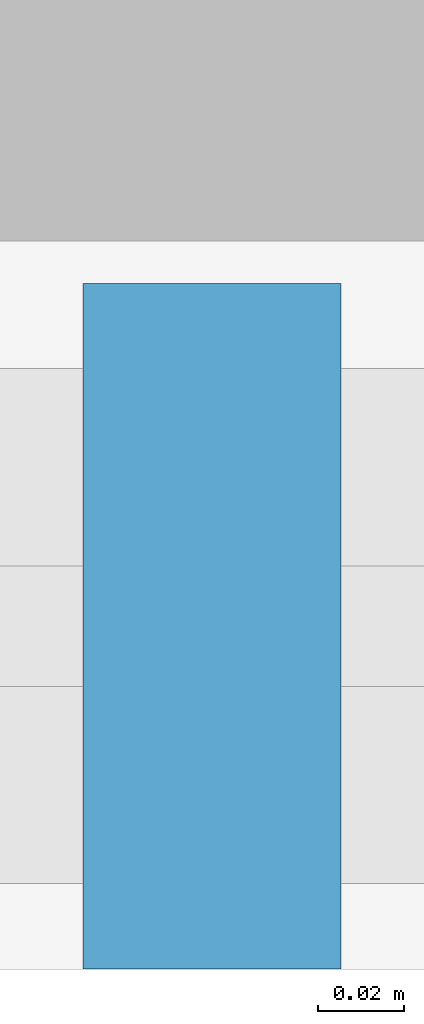
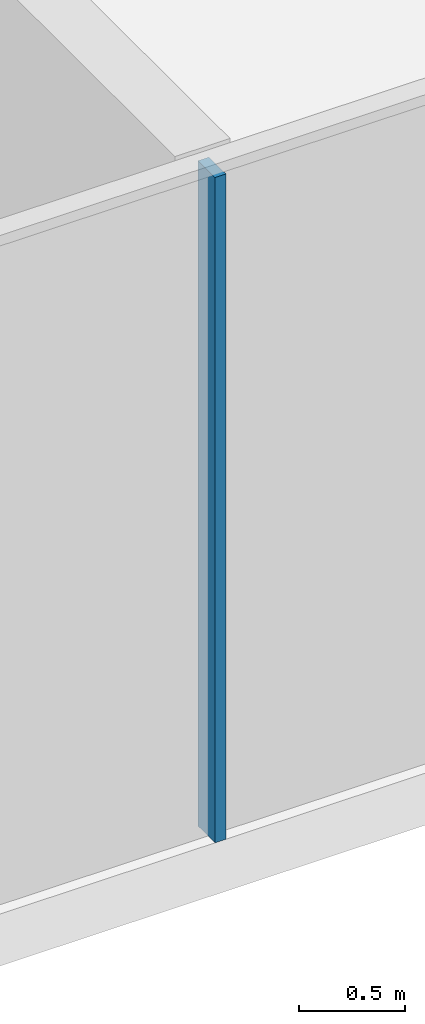
# One storey, part 3 of 9: 1 member, 1 element without a shape of its own.
"""IFC4 building model written with IfcOpenShell, lengths in metres."""

from ifc_helpers import new_model, si_unit, direction, frame, origin, origin_2d, place, context, subcontext, project, spatial, rectangle, extrude, material, material_profile, profile_set, type_object, element, aggregate, save


model = new_model("IFC4")

# Units and contexts
model_context = context("Model", 3, precision=1e-05, world=origin(), true_north=direction((0.0, 1.0)))
body_context = subcontext(model_context, "Body", "Model", "MODEL_VIEW")
ifc_project = project(units=[si_unit("LENGTHUNIT", "METRE"), si_unit("AREAUNIT", "SQUARE_METRE"), si_unit("VOLUMEUNIT", "CUBIC_METRE"), si_unit("PLANEANGLEUNIT", "RADIAN"), si_unit("MASSUNIT", "GRAM", prefix="KILO")], contexts=[model_context])

# Site, building, storey
site_placement = place(None, origin())
site = spatial("IfcSite", under=ifc_project, at=site_placement, CompositionType="ELEMENT")
building_placement = place(site_placement, origin())
building = spatial("IfcBuilding", under=site, at=building_placement, Name="Ogive Portal Towers", CompositionType="ELEMENT")
storey_placement = place(building_placement, frame((0.0, 0.0, 281.300048828125)))
storey = spatial("IfcBuildingStorey", under=building, at=storey_placement, Name="L68", CompositionType="ELEMENT", Elevation=281.300048828125)

# Curtain wall, member
ifc_material_1 = material(Name="Glass, clear low-iron insulated glazing", Category="glass")
curtain_wall_type = type_object("IfcCurtainWallType", Name="CW CROWN GLAZING", PredefinedType="NOTDEFINED", material=ifc_material_1)
curtain_wall_placement = place(storey_placement, origin())
curtain_wall = element("IfcCurtainWall", 1, at=curtain_wall_placement, inside=storey, type_object=curtain_wall_type, Name="A:L68:c06:cw", PredefinedType="NOTDEFINED")
ifc_material_2 = material(Name="Aluminium 6063 anodised", Category="aluminium")
ifc_material_profile = material_profile(ifc_material_2, rectangle(XDim=0.159912109375, YDim=0.06005859375, at=origin_2d()), Name="AL 60x160")
ifc_profile_set = profile_set([ifc_material_profile], Name="Aluminium 6063 anodised")
member_type = type_object("IfcMemberType", Name="CW MULLION 60x160", PredefinedType="MULLION", material=ifc_profile_set)
member_placement = place(storey_placement, frame((63.0, 20.080078125, 0.0), z_axis=(0.0, 0.0, 1.0), x_axis=(0.0, 1.0, 0.0)))
member = element("IfcMember", 2, at=member_placement, type_object=member_type, Name="mullion", PredefinedType="MULLION", context=body_context, shape_type="SweptSolid", body=[
    extrude(rectangle(XDim=0.159912109375, YDim=0.06005859375, at=origin_2d()), origin(), (0.0, 0.0, 1.0), 3.83984375),
])
aggregate(curtain_wall, [member])

save(model, "model.ifc")
